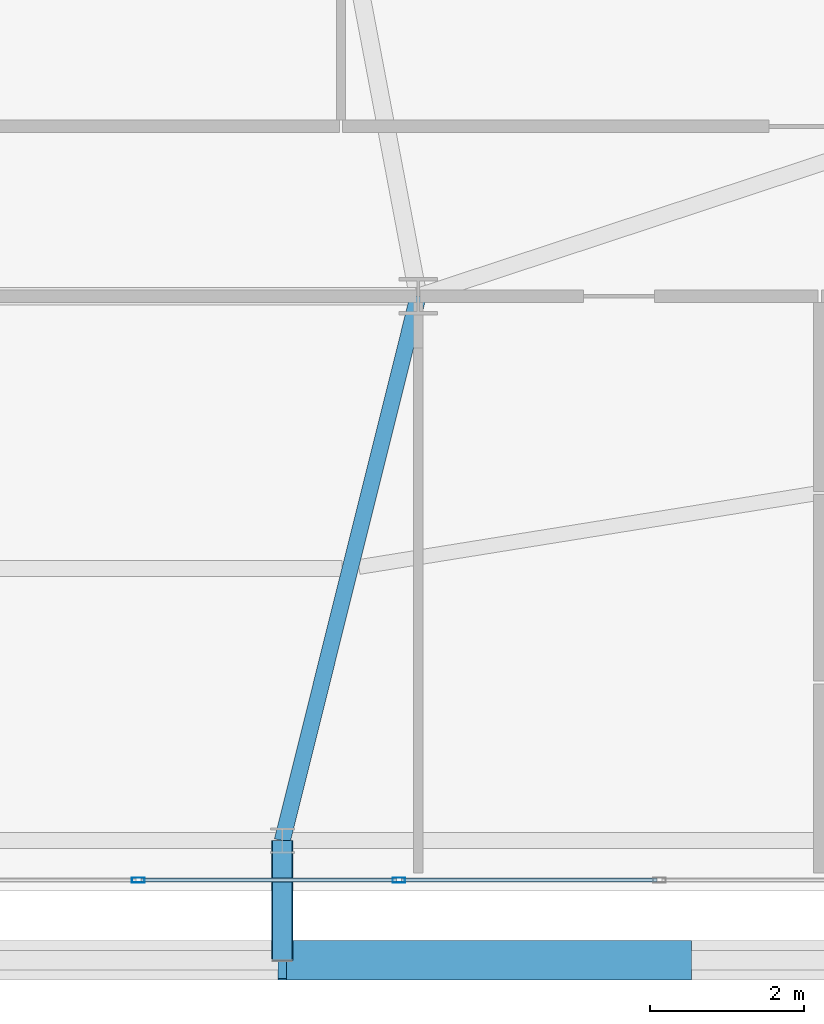
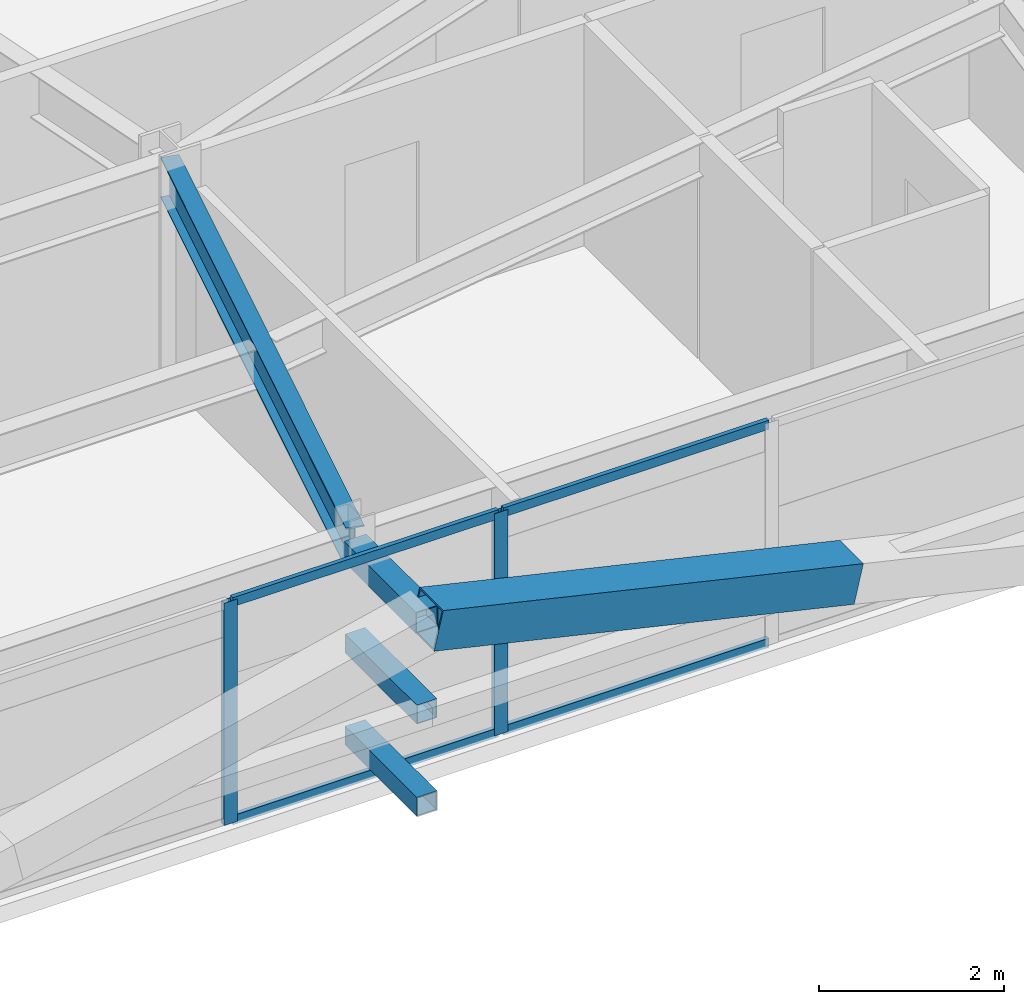
# One storey, part 20 of 59: 10 members, 1 beam, 1 element without a shape of its own.
"""IFC4 building model written with IfcOpenShell, lengths in metres."""

from ifc_helpers import new_model, si_unit, direction, frame, origin, origin_2d, place, context, subcontext, project, spatial, hollow_rectangle, i_section, extrude, source, transform, mapped, material, layer, layer_set, material_profile, profile_set, type_object, element, aggregate, save


model = new_model("IFC4")

# Units and contexts
model_context = context("Model", 3, precision=1e-05, world=origin(), true_north=direction((0.0, 1.0)))
body_context = subcontext(model_context, "Body", "Model", "MODEL_VIEW")
ifc_project = project(units=[si_unit("LENGTHUNIT", "METRE"), si_unit("AREAUNIT", "SQUARE_METRE"), si_unit("VOLUMEUNIT", "CUBIC_METRE"), si_unit("PLANEANGLEUNIT", "RADIAN"), si_unit("MASSUNIT", "GRAM", prefix="KILO")], contexts=[model_context])

# Site, building, storey
site_placement = place(None, origin())
site = spatial("IfcSite", under=ifc_project, at=site_placement, CompositionType="ELEMENT")
building_placement = place(site_placement, origin())
building = spatial("IfcBuilding", under=site, at=building_placement, Name="Taldren Reach Tower", CompositionType="ELEMENT")
storey_placement = place(building_placement, frame((0.0, 0.0, 29.39990234375)))
storey = spatial("IfcBuildingStorey", under=building, at=storey_placement, Name="L08", CompositionType="ELEMENT", Elevation=29.39990234375)

# Beam
ifc_material_1 = material(Name="Steel Gr 350 (350PLUS)", Category="steel")
ifc_material_profile_1 = material_profile(ifc_material_1, i_section(OverallWidth=0.208984375, OverallDepth=0.532958984375, WebThickness=0.01025390625, FlangeThickness=0.015625, at=origin_2d()), Name="530UB92.4")
ifc_profile_set_1 = profile_set([ifc_material_profile_1], Name="Steel Gr 350 (350PLUS)")
beam_type = type_object("IfcBeamType", Name="BM-UB530A", PredefinedType="BEAM", material=ifc_profile_set_1)
shared_shape_1 = source(origin(), body_context, "Body", "SweptSolid", [
    extrude(i_section(OverallWidth=0.208984375, OverallDepth=0.532958984375, WebThickness=0.01025390625, FlangeThickness=0.015625, at=origin_2d()), origin(), (0.0, 0.0, 1.0), 7.266357421875),
])
beam_placement = place(storey_placement, frame((42.0, 9.199951171875, 2.66357421875), z_axis=(-0.24221148493, -0.970223477642, 0.0), x_axis=(0.970223477642, -0.24221148493, 0.0)))
element("IfcBeam", 1, at=beam_placement, inside=storey, type_object=beam_type, Name="Primary floor girder B1-S4 L08", PredefinedType="BEAM", context=body_context, shape_type="MappedRepresentation", body=[
    mapped(shared_shape_1, transform((0.0, 0.0, 0.0), scale=1.0)),
])

# Members
ifc_material_2 = material(Name="Steel Gr 450 (C450L0)", Category="steel")
ifc_material_profile_2 = material_profile(ifc_material_2, hollow_rectangle(XDim=0.27490234375, YDim=0.27490234375, WallThickness=0.00927734375, at=origin_2d()), Name="275x275x9.3SHS")
ifc_profile_set_2 = profile_set([ifc_material_profile_2], Name="Steel Gr 450 (C450L0)")
member_type_1 = type_object("IfcMemberType", Name="MB-TIE273", PredefinedType="STRUT", material=ifc_profile_set_2)
shared_shape_2 = source(origin(), body_context, "Body", "SweptSolid", [
    extrude(hollow_rectangle(XDim=0.27490234375, YDim=0.27490234375, WallThickness=0.00927734375, at=origin_2d()), origin(), (0.0, 0.0, 1.0), 1.5498046875),
])
member_1_placement = place(storey_placement, frame((40.239990234375, 2.14990234375, 2.650146484375), z_axis=(0.0, -1.0, 0.0), x_axis=(1.0, 0.0, 0.0)))
element("IfcMember", 2, at=member_1_placement, inside=storey, type_object=member_type_1, Name="Exoskeleton diaphragm tie strut B1-S4 L08", PredefinedType="STRUT", context=body_context, shape_type="MappedRepresentation", body=[
    mapped(shared_shape_2, transform((0.0, 0.0, 0.0), scale=1.0)),
])
ifc_material_profile_3 = material_profile(ifc_material_2, hollow_rectangle(XDim=0.510009765625, YDim=0.510009765625, WallThickness=0.02001953125, at=origin_2d()), Name="510x510x20.0SHS")
ifc_profile_set_3 = profile_set([ifc_material_profile_3], Name="Steel Gr 450 (C450L0)")
member_type_2 = type_object("IfcMemberType", Name="MB-EXO508", PredefinedType="BRACE", material=ifc_profile_set_3)
shared_shape_3 = source(origin(), body_context, "Body", "SweptSolid", [
    extrude(hollow_rectangle(XDim=0.510009765625, YDim=0.510009765625, WallThickness=0.02001953125, at=origin_2d()), origin(), (0.0, 0.0, 1.0), 5.37890625),
])
member_2_placement = place(storey_placement, frame((45.47998046875, 0.60009765625, 1.43505859375), z_axis=(-0.97415197996, 0.0, 0.225893603143), x_axis=(0.0, -1.0, 0.0)))
element("IfcMember", 3, at=member_2_placement, inside=storey, type_object=member_type_2, Name="Exoskeleton Diagrid Brace B1-S4 L08", PredefinedType="BRACE", context=body_context, shape_type="MappedRepresentation", body=[
    mapped(shared_shape_3, transform((0.0, 0.0, 0.0), scale=1.0)),
])
ifc_material_3 = material(Name="Steel Gr 350 (C350L0)", Category="steel")
ifc_material_profile_4 = material_profile(ifc_material_3, hollow_rectangle(XDim=0.25, YDim=0.25, WallThickness=0.010009765625, at=origin_2d()), Name="250x250x10.0SHS")
ifc_profile_set_4 = profile_set([ifc_material_profile_4], Name="Steel Gr 350 (C350L0)")
member_type_3 = type_object("IfcMemberType", Name="MB-POST250", PredefinedType="POST", material=ifc_profile_set_4)
shared_shape_4 = source(origin(), body_context, "Body", "SweptSolid", [
    extrude(hollow_rectangle(XDim=0.25, YDim=0.25, WallThickness=0.010009765625, at=origin_2d()), origin(), (0.0, 0.0, 1.0), 1.5498046875),
])
for number, where, z_axis, x_axis, name in (
    (4, (40.239990234375, 2.14990234375, 0.22021484375), (0.0, -1.0, 0.0), (1.0, 0.0, 0.0), "Exoskeleton base diaphragm tie strut B1-S4 L08"),
    (5, (40.239990234375, 2.14990234375, 1.43505859375), (0.0, -1.0, 0.0), (1.0, 0.0, 0.0), "Exoskeleton mid-tier diaphragm tie B1-S4 L08"),
):
    element("IfcMember", number, at=place(storey_placement, frame(where, z_axis=z_axis, x_axis=x_axis)), inside=storey, type_object=member_type_3, Name=name, PredefinedType="POST", context=body_context, shape_type="MappedRepresentation", body=[
        mapped(shared_shape_4, transform((0.0, 0.0, 0.0), scale=1.0)),
    ])

# Curtain wall, members
ifc_material_4 = material(Name="Aluminium and Low-E Glass Unitised System", Category="aluminium")
ifc_layer = layer(ifc_material_4, 0.159912109375)
ifc_layer_set = layer_set([ifc_layer], Name="Aluminium and Low-E Glass Unitised System")
curtain_wall_type = type_object("IfcCurtainWallType", Name="CW-SYS-2", PredefinedType="NOTDEFINED", material=ifc_layer_set)
curtain_wall_placement = place(storey_placement, origin())
curtain_wall = element("IfcCurtainWall", 6, at=curtain_wall_placement, inside=storey, type_object=curtain_wall_type, Name="Unitised curtain wall CW-L08-S", PredefinedType="NOTDEFINED")
ifc_material_5 = material(Name="Anodised Aluminium 6063-T6", Category="aluminium")
ifc_material_profile_5 = material_profile(ifc_material_5, hollow_rectangle(XDim=0.054931640625, YDim=0.1201171875, WallThickness=0.0029296875, at=origin_2d()), Name="ALU-120x55x3RHS")
ifc_profile_set_5 = profile_set([ifc_material_profile_5], Name="Anodised Aluminium 6063-T6")
member_type_4 = type_object("IfcMemberType", Name="CW-TRN-135", PredefinedType="USERDEFINED", material=ifc_profile_set_5)
shared_shape_5 = source(origin(), body_context, "Body", "SweptSolid", [
    extrude(hollow_rectangle(XDim=0.054931640625, YDim=0.1201171875, WallThickness=0.0029296875, at=origin_2d()), origin(), (0.0, 0.0, 1.0), 3.31005859375),
])
member_3_placement = place(storey_placement, frame((38.407470703125, 1.639892578125, 0.027587890625), z_axis=(1.0, 0.0, 0.0), x_axis=(0.0, 1.0, 0.0)))
member_3 = element("IfcMember", 7, at=member_3_placement, type_object=member_type_4, Name="CW-2 transom 10.1", ObjectType="TRANSOM", PredefinedType="USERDEFINED", context=body_context, shape_type="MappedRepresentation", body=[
    mapped(shared_shape_5, transform((0.0, 0.0, 0.0), scale=1.0)),
])
member_4_placement = place(storey_placement, frame((38.407470703125, 1.639892578125, 2.902587890625), z_axis=(1.0, 0.0, 0.0), x_axis=(0.0, 1.0, 0.0)))
member_4 = element("IfcMember", 8, at=member_4_placement, type_object=member_type_4, Name="CW-2 transom 10.2", ObjectType="TRANSOM", PredefinedType="USERDEFINED", context=body_context, shape_type="MappedRepresentation", body=[
    mapped(shared_shape_5, transform((0.0, 0.0, 0.0), scale=1.0)),
])
member_5_placement = place(storey_placement, frame((41.782470703125, 1.639892578125, 0.027587890625), z_axis=(1.0, 0.0, 0.0), x_axis=(0.0, 1.0, 0.0)))
member_5 = element("IfcMember", 9, at=member_5_placement, type_object=member_type_4, Name="CW-2 transom 11.1", ObjectType="TRANSOM", PredefinedType="USERDEFINED", context=body_context, shape_type="MappedRepresentation", body=[
    mapped(shared_shape_5, transform((0.0, 0.0, 0.0), scale=1.0)),
])
member_6_placement = place(storey_placement, frame((41.782470703125, 1.639892578125, 2.902587890625), z_axis=(1.0, 0.0, 0.0), x_axis=(0.0, 1.0, 0.0)))
member_6 = element("IfcMember", 10, at=member_6_placement, type_object=member_type_4, Name="CW-2 transom 11.2", ObjectType="TRANSOM", PredefinedType="USERDEFINED", context=body_context, shape_type="MappedRepresentation", body=[
    mapped(shared_shape_5, transform((0.0, 0.0, 0.0), scale=1.0)),
])
ifc_material_profile_6 = material_profile(ifc_material_5, hollow_rectangle(XDim=0.06494140625, YDim=0.1650390625, WallThickness=0.00390625, at=origin_2d()), Name="ALU-165x65x4RHS")
ifc_profile_set_6 = profile_set([ifc_material_profile_6], Name="Anodised Aluminium 6063-T6")
member_type_5 = type_object("IfcMemberType", Name="CW-MUL-165", PredefinedType="MULLION", material=ifc_profile_set_6)
shared_shape_6 = source(origin(), body_context, "Body", "SweptSolid", [
    extrude(hollow_rectangle(XDim=0.06494140625, YDim=0.1650390625, WallThickness=0.00390625, at=origin_2d()), origin(), (0.0, 0.0, 1.0), 2.93017578125),
])
member_7_placement = place(storey_placement, frame((38.375, 1.639892578125, 0.0), z_axis=(0.0, 0.0, 1.0), x_axis=(0.0, 1.0, 0.0)))
member_7 = element("IfcMember", 11, at=member_7_placement, type_object=member_type_5, Name="CW-2 mullion 10", PredefinedType="MULLION", context=body_context, shape_type="MappedRepresentation", body=[
    mapped(shared_shape_6, transform((0.0, 0.0, 0.0), scale=1.0)),
])
member_8_placement = place(storey_placement, frame((41.75, 1.639892578125, 0.0), z_axis=(0.0, 0.0, 1.0), x_axis=(0.0, 1.0, 0.0)))
member_8 = element("IfcMember", 12, at=member_8_placement, type_object=member_type_5, Name="CW-2 mullion 11", PredefinedType="MULLION", context=body_context, shape_type="MappedRepresentation", body=[
    mapped(shared_shape_6, transform((0.0, 0.0, 0.0), scale=1.0)),
])
aggregate(curtain_wall, [member_7, member_8, member_3, member_4, member_5, member_6])

save(model, "model.ifc")
